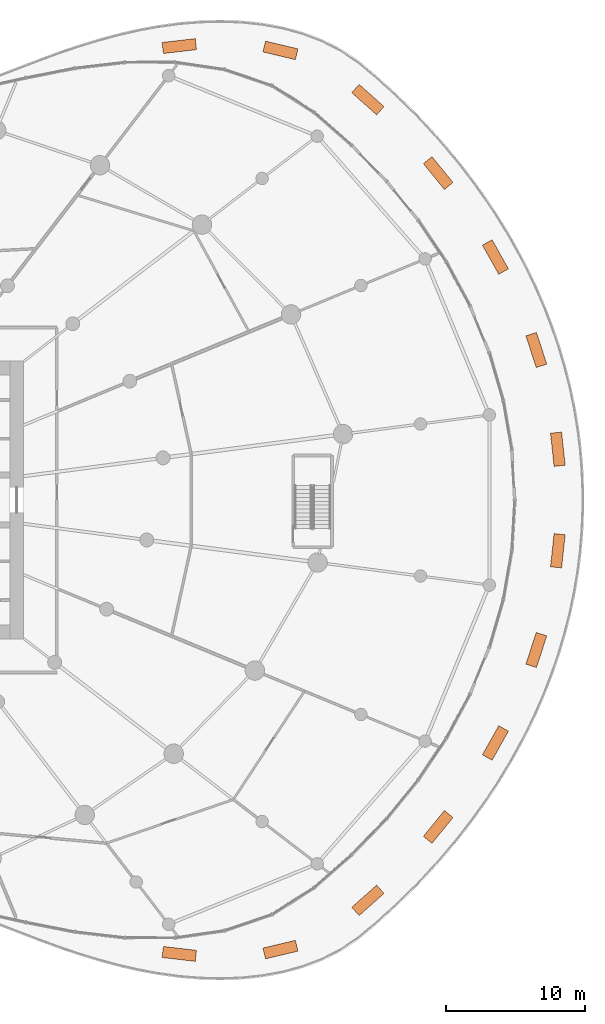
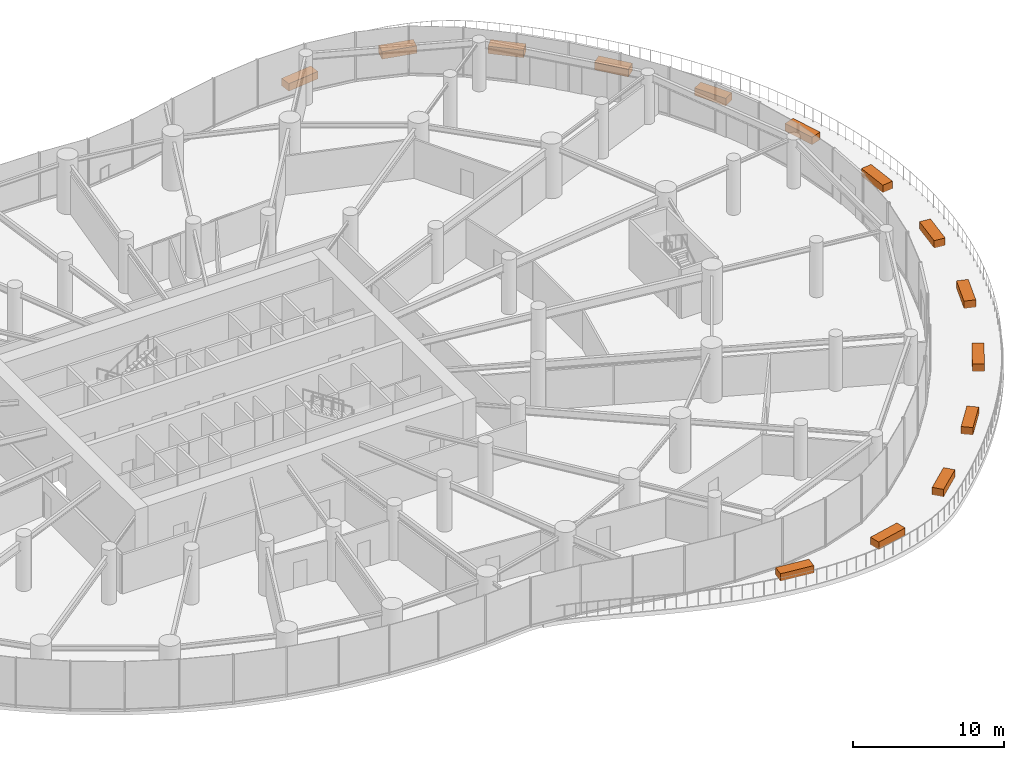
# One storey, part 21 of 21: 14 proxies.
"""IFC4 building model written with IfcOpenShell, lengths in metres."""

from ifc_helpers import new_model, si_unit, direction, frame, origin, origin_2d, place, context, subcontext, project, spatial, rectangle, extrude, source, transform, mapped, element, save


model = new_model("IFC4")

# Units and contexts
model_context = context("Model", 3, precision=1e-05, world=origin(), true_north=direction((0.0, 1.0)))
body_context = subcontext(model_context, "Body", "Model", "MODEL_VIEW")
ifc_project = project(units=[si_unit("LENGTHUNIT", "METRE"), si_unit("AREAUNIT", "SQUARE_METRE"), si_unit("VOLUMEUNIT", "CUBIC_METRE"), si_unit("PLANEANGLEUNIT", "RADIAN"), si_unit("MASSUNIT", "GRAM", prefix="KILO")], contexts=[model_context])

# Site, building, storey
site_placement = place(None, origin())
site = spatial("IfcSite", under=ifc_project, at=site_placement, CompositionType="ELEMENT")
building_placement = place(site_placement, origin())
building = spatial("IfcBuilding", under=site, at=building_placement, Name="Spindrift Exchange Tower", CompositionType="ELEMENT")
storey_placement = place(building_placement, frame((0.0, 0.0, 9.39990234375)))
storey = spatial("IfcBuildingStorey", under=building, at=storey_placement, Name="L02", CompositionType="ELEMENT", Elevation=9.39990234375)

# Proxies
shared_shape = source(origin(), body_context, "Body", "SweptSolid", [
    extrude(rectangle(XDim=2.39990234375, YDim=0.800048828125, at=origin_2d()), origin(), (0.0, 0.0, 1.0), 0.60009765625),
])
for number, where, z_axis, x_axis, name in (
    (1, (76.206298828125, 80.67529296875, 0.0), (0.0, 0.0, 1.0), (0.993247810064, 0.116012015769, 0.0), "L02 PLANTER 01"),
    (2, (83.4853515625, 80.36376953125, 0.0), (0.0, 0.0, 1.0), (0.972934608585, -0.231080608051, 0.0), "L02 PLANTER 02"),
    (3, (89.78173828125, 76.818603515625, 0.0), (0.0, 0.0, 1.0), (0.745920221676, -0.666035301538, 0.0), "L02 PLANTER 03"),
    (4, (94.8408203125, 71.5341796875, 0.0), (0.0, 0.0, 1.0), (0.631267521422, -0.77556515935, 0.0), "L02 PLANTER 04"),
    (5, (98.960205078125, 65.49072265625, 0.0), (0.0, 0.0, 1.0), (0.489365709131, -0.87207866774, 0.0), "L02 PLANTER 05"),
    (6, (101.9052734375, 58.798583984375, 0.0), (0.0, 0.0, 1.0), (0.310095734683, -0.950705335702, 0.0), "L02 PLANTER 06"),
    (7, (103.45166015625, 51.654541015625, 0.0), (0.0, 0.0, 1.0), (0.10640637691, -0.994322725755, 0.0), "L02 PLANTER 07"),
    (8, (103.45166015625, 44.345458984375, 0.0), (0.0, 0.0, 1.0), (-0.10640637691, -0.994322725755, 0.0), "L02 PLANTER 08"),
    (9, (101.9052734375, 37.201416015625, 0.0), (0.0, 0.0, 1.0), (-0.310095734683, -0.950705335702, 0.0), "L02 PLANTER 09"),
    (10, (98.960205078125, 30.50927734375, 0.0), (0.0, 0.0, 1.0), (-0.489365709131, -0.87207866774, 0.0), "L02 PLANTER 10"),
    (11, (94.8408203125, 24.4658203125, 0.0), (0.0, 0.0, 1.0), (-0.631267521422, -0.77556515935, 0.0), "L02 PLANTER 11"),
    (12, (89.78173828125, 19.181396484375, 0.0), (0.0, 0.0, 1.0), (-0.745920221676, -0.666035301538, 0.0), "L02 PLANTER 12"),
    (13, (83.4853515625, 15.63623046875, 0.0), (0.0, 0.0, 1.0), (-0.972934608585, -0.231080608051, 0.0), "L02 PLANTER 13"),
    (14, (76.206298828125, 15.32470703125, 0.0), (0.0, 0.0, 1.0), (-0.993247810064, 0.116012015769, 0.0), "L02 PLANTER 14"),
):
    element("IfcBuildingElementProxy", number, at=place(storey_placement, frame(where, z_axis=z_axis, x_axis=x_axis)), inside=storey, Name=name, ObjectType="PLANTER", PredefinedType="USERDEFINED", context=body_context, shape_type="MappedRepresentation", body=[
        mapped(shared_shape, transform((0.0, 0.0, 0.0), scale=1.0)),
    ])

save(model, "model.ifc")
